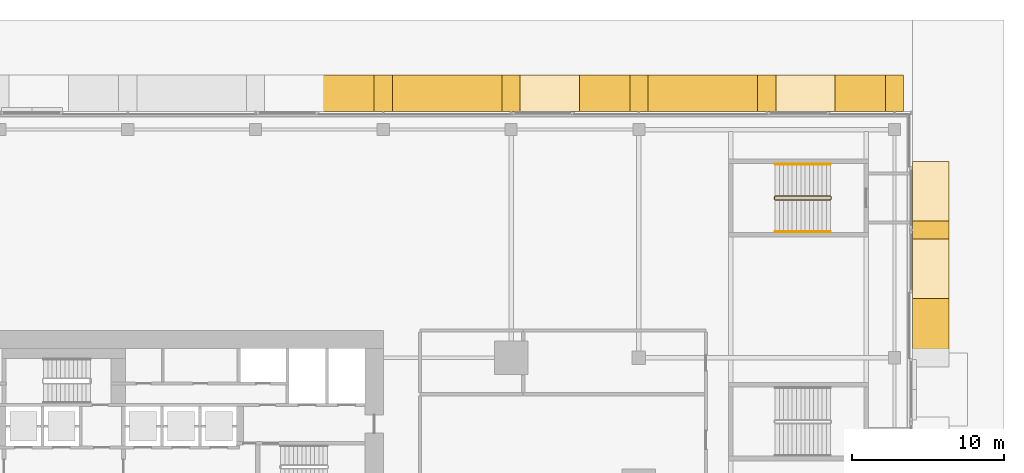
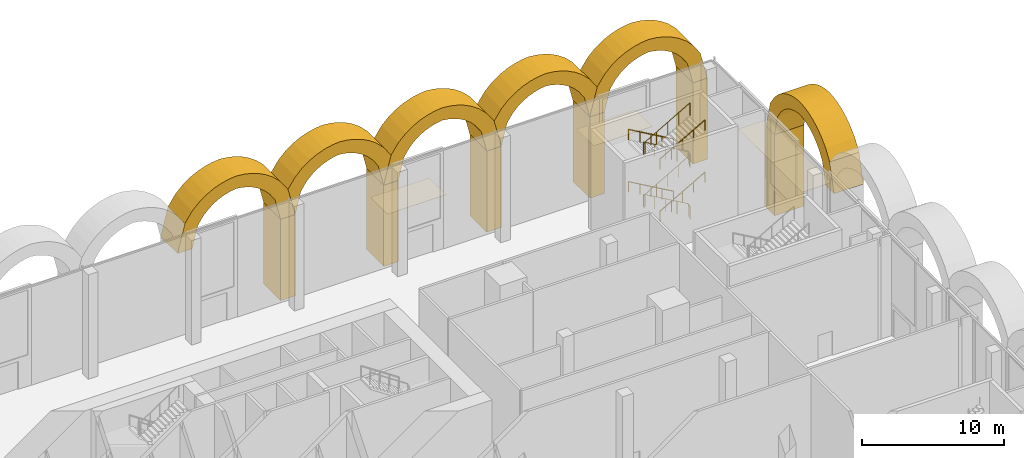
# One storey, part 42 of 43: 16 coverings, 5 railings.
"""IFC4 building model written with IfcOpenShell, lengths in metres."""

from ifc_helpers import new_model, si_unit, direction, frame, origin, origin_2d, place, context, subcontext, project, spatial, polyline, circle, outline, extrude, material, layer, layer_set, type_object, element, save


model = new_model("IFC4")

# Units and contexts
model_context = context("Model", 3, precision=1e-05, world=origin(), true_north=direction((0.0, 1.0)))
body_context = subcontext(model_context, "Body", "Model", "MODEL_VIEW")
ifc_project = project(units=[si_unit("LENGTHUNIT", "METRE"), si_unit("AREAUNIT", "SQUARE_METRE"), si_unit("VOLUMEUNIT", "CUBIC_METRE"), si_unit("PLANEANGLEUNIT", "RADIAN"), si_unit("MASSUNIT", "GRAM", prefix="KILO")], contexts=[model_context])

# Site, building, storey
site_placement = place(None, origin())
site = spatial("IfcSite", under=ifc_project, at=site_placement, CompositionType="ELEMENT")
building_placement = place(site_placement, origin())
building = spatial("IfcBuilding", under=site, at=building_placement, Name="Saffron Gate Tower", CompositionType="ELEMENT")
storey_placement = place(building_placement, origin())
storey = spatial("IfcBuildingStorey", under=building, at=storey_placement, Name="L00", CompositionType="ELEMENT", Elevation=0.0)

# Coverings
ifc_material_1 = material(Name="Cast stone cladding, pale limestone", Category="masonry")
ifc_layer_1 = layer(ifc_material_1, 1.199951171875)
ifc_layer_set_1 = layer_set([ifc_layer_1], Name="AR1 arcade pier")
covering_type_1 = type_object("IfcCoveringType", Name="AR1 arcade pier", PredefinedType="CLADDING", material=ifc_layer_set_1)
covering_1_placement = place(storey_placement, origin())
element("IfcCovering", 1, at=covering_1_placement, inside=storey, type_object=covering_type_1, Name="ARCADE PIER", PredefinedType="CLADDING", context=body_context, shape_type="SweptSolid", body=[
    extrude(outline(polyline([(143.39990234375, 81.60009765625), (143.39990234375, 82.800048828125), (145.800048828125, 82.800048828125), (145.800048828125, 81.60009765625), (143.39990234375, 81.60009765625)])), origin(), (0.0, 0.0, 1.0), 7.0),
])
covering_2_placement = place(storey_placement, origin())
element("IfcCovering", 2, at=covering_2_placement, inside=storey, type_object=covering_type_1, Name="ARCADE PIER", PredefinedType="CLADDING", context=body_context, shape_type="SweptSolid", body=[
    extrude(outline(polyline([(142.800048828125, 90.0), (141.60009765625, 90.0), (141.60009765625, 92.39990234375), (142.800048828125, 92.39990234375), (142.800048828125, 90.0)])), origin(), (0.0, 0.0, 1.0), 7.0),
])
covering_3_placement = place(storey_placement, origin())
element("IfcCovering", 3, at=covering_3_placement, inside=storey, type_object=covering_type_1, Name="ARCADE PIER", PredefinedType="CLADDING", context=body_context, shape_type="SweptSolid", body=[
    extrude(outline(polyline([(134.39990234375, 90.0), (133.199951171875, 90.0), (133.199951171875, 92.39990234375), (134.39990234375, 92.39990234375), (134.39990234375, 90.0)])), origin(), (0.0, 0.0, 1.0), 7.0),
])
covering_4_placement = place(storey_placement, origin())
element("IfcCovering", 4, at=covering_4_placement, inside=storey, type_object=covering_type_1, Name="ARCADE PIER", PredefinedType="CLADDING", context=body_context, shape_type="SweptSolid", body=[
    extrude(outline(polyline([(126.0, 90.0), (124.800048828125, 90.0), (124.800048828125, 92.39990234375), (126.0, 92.39990234375), (126.0, 90.0)])), origin(), (0.0, 0.0, 1.0), 7.0),
])
covering_5_placement = place(storey_placement, origin())
element("IfcCovering", 5, at=covering_5_placement, inside=storey, type_object=covering_type_1, Name="ARCADE PIER", PredefinedType="CLADDING", context=body_context, shape_type="SweptSolid", body=[
    extrude(outline(polyline([(117.60009765625, 90.0), (116.39990234375, 90.0), (116.39990234375, 92.39990234375), (117.60009765625, 92.39990234375), (117.60009765625, 90.0)])), origin(), (0.0, 0.0, 1.0), 7.0),
])
covering_6_placement = place(storey_placement, origin())
element("IfcCovering", 6, at=covering_6_placement, inside=storey, type_object=covering_type_1, Name="ARCADE PIER", PredefinedType="CLADDING", context=body_context, shape_type="SweptSolid", body=[
    extrude(outline(polyline([(109.199951171875, 90.0), (108.0, 90.0), (108.0, 92.39990234375), (109.199951171875, 92.39990234375), (109.199951171875, 90.0)])), origin(), (0.0, 0.0, 1.0), 7.0),
])
ifc_layer_2 = layer(ifc_material_1, 2.39990234375)
ifc_layer_set_2 = layer_set([ifc_layer_2], Name="AR2 arcade arch")
covering_type_2 = type_object("IfcCoveringType", Name="AR2 arcade arch", PredefinedType="CLADDING", material=ifc_layer_set_2)
for number, where, z_axis, x_axis, name in (
    (7, (145.800048828125, 74.39990234375, 7.0), (1.0, 0.0, 0.0), (0.0, 0.239237346473, 0.970961117683), "ARCADE ARCH"),
    (8, (141.60009765625, 92.39990234375, 7.0), (0.0, 1.0, 0.0), (-0.239237346473, 0.0, 0.970961117683), "ARCADE ARCH"),
):
    element("IfcCovering", number, at=place(storey_placement, frame(where, z_axis=z_axis, x_axis=x_axis)), inside=storey, type_object=covering_type_2, Name=name, PredefinedType="CLADDING", context=body_context, shape_type="SweptSolid", body=[
        extrude(outline(polyline([(0.0, 0.0), (1.8817936210051474, 0.0), (2.6470183695411396, -0.2748625343682679), (3.203401139395791, -0.6011821249482396), (3.6395990248106704, -0.9571143460609401), (3.990458530741687, -1.3340732870785366), (4.273105740640905, -1.7280906550741717), (4.496905881562616, -2.1363560457279465), (4.6673695353069125, -2.5577631363222815), (4.712196130366634, -3.010126231221047), (4.703686238248943, -3.4756310260603724), (4.636446092264326, -3.9558579456660814), (4.500876835137328, -4.452669190141585), (4.279969198526468, -4.970507154521985), (3.9388766774758355, -5.517957749435114), (3.388942177743862, -6.116865400559946), (1.7225556206533161, -6.9911096881612895), (2.0096287549104384, -8.156215619170132), (4.1730438427179735, -7.00512180004296), (4.879364508393852, -6.2132962743460105), (5.31112164584135, -5.488869646622356), (5.58452867913546, -4.80345926583334), (5.743972562952254, -4.1463799701936), (5.812093383376849, -3.5115505322869174), (5.800623457171799, -2.896583084012261), (5.716083398741931, -2.2993681117132256), (5.513491915359386, -1.7312401019492978), (5.237947114862605, -1.1813386702692357), (4.882694752625596, -0.6508251261129545), (4.436236142106971, -0.14303554179797584), (3.875697567000447, 0.3368970594759718), (3.1568088877405365, 0.7778134138152791), (2.163473495362826, 1.150856768073049), (-0.2870731342571223, 1.165105931008841), (0.0, 0.0)])), origin(), (0.0, 0.0, -1.0), 2.39990234375),
    ])
covering_7_placement = place(storey_placement, frame((133.199951171875, 92.39990234375, 7.0), z_axis=(0.0, 1.0, 0.0), x_axis=(-0.239115028028, 0.0, 0.970991247835)))
element("IfcCovering", 9, at=covering_7_placement, inside=storey, type_object=covering_type_2, Name="ARCADE ARCH", PredefinedType="CLADDING", context=body_context, shape_type="SweptSolid", body=[
    extrude(outline(polyline([(0.0, 0.0), (1.881735228381075, 0.0), (2.646925345116447, -0.2749589311548678), (3.203267002539746, -0.6013486093049456), (3.6394784237266933, -0.9575728359066504), (3.990290439579541, -1.334575973358484), (4.272829633319021, -1.7283918862185135), (4.4965783413497675, -2.136685466791156), (4.666988907104446, -2.558114028151451), (4.7118168931901065, -3.0107198248883336), (4.70324835930731, -3.4762235440027536), (4.63588933971578, -3.956204930829786), (4.500257498010882, -4.452999093065014), (4.279284628664273, -4.970809224560487), (3.9381815230813135, -5.518453904507588), (3.3881715804938914, -6.117292273039781), (1.721616526260766, -6.991089572726843), (2.0085428843554953, -8.156231658446298), (4.17216134140188, -7.005647442456348), (4.878523373773681, -6.213673843174959), (5.310371767231315, -5.489301611680691), (5.5839235204239435, -4.804162737112771), (5.743391800658454, -4.146866474174116), (5.8116509706907475, -3.512282681215563), (5.800200137231722, -2.897076734489788), (5.715735313457013, -2.29985111702), (5.513273779136993, -1.7319346487703329), (5.237739876808899, -1.1817614513665375), (4.882612726374266, -0.6514402170157529), (4.436159710352636, -0.14335733582483634), (3.8756815990652784, 0.3366458753266979), (3.1569068475129147, 0.7774157295518843), (2.1635600793539953, 1.1508212744000663), (-0.2869263580947294, 1.1651420857194545), (0.0, 0.0)])), origin(), (0.0, 0.0, -1.0), 2.39990234375),
])
covering_8_placement = place(storey_placement, frame((124.800048828125, 92.39990234375, 7.0), z_axis=(0.0, 1.0, 0.0), x_axis=(-0.239115028028, 0.0, 0.970991247835)))
element("IfcCovering", 10, at=covering_8_placement, inside=storey, type_object=covering_type_2, Name="ARCADE ARCH", PredefinedType="CLADDING", context=body_context, shape_type="SweptSolid", body=[
    extrude(outline(polyline([(0.0, 0.0), (1.881735228381075, 0.0), (2.6469837228088364, -0.2751959895649837), (3.203325380232136, -0.6015856677150615), (3.6394784237266933, -0.9575728359066504), (3.990290439579541, -1.334575973358484), (4.272829633319021, -1.7283918862185135), (4.496636719042157, -2.1369225252012716), (4.667047284796835, -2.5583510865615673), (4.7118168931901065, -3.0107198248883336), (4.70324835930731, -3.4762235440027536), (4.63588933971578, -3.956204930829786), (4.50031587570327, -4.45323615147513), (4.2793430063566635, -4.971046282970603), (3.9381815230813135, -5.518453904507588), (3.3881715804938914, -6.117292273039781), (1.721616526260766, -6.991089572726843), (2.008601262047885, -8.156468716856415), (4.17216134140188, -7.005647442456348), (4.878523373773681, -6.213673843174959), (5.310430144923704, -5.489538670090807), (5.5839235204239435, -4.804162737112771), (5.743450178350844, -4.147103532584232), (5.8116509706907475, -3.512282681215563), (5.800200137231722, -2.897076734489788), (5.715793691149402, -2.300088175430116), (5.513273779136993, -1.7319346487703329), (5.237798254501289, -1.1819985097766537), (4.882612726374266, -0.6514402170157529), (4.436159710352636, -0.14335733582483634), (3.875739976757668, 0.336408816916582), (3.1569068475129147, 0.7774157295518843), (2.163618457046385, 1.1505842159899504), (-0.2869263580947294, 1.1651420857194545), (0.0, 0.0)])), origin(), (0.0, 0.0, -1.0), 2.39990234375),
])
covering_9_placement = place(storey_placement, frame((116.39990234375, 92.39990234375, 7.0), z_axis=(0.0, 1.0, 0.0), x_axis=(-0.239115028028, 0.0, 0.970991247835)))
element("IfcCovering", 11, at=covering_9_placement, inside=storey, type_object=covering_type_2, Name="ARCADE ARCH", PredefinedType="CLADDING", context=body_context, shape_type="SweptSolid", body=[
    extrude(outline(polyline([(0.0, 0.0), (1.881735228381075, 0.0), (2.646925345116447, -0.2749589311548678), (3.203267002539746, -0.6013486093049456), (3.639420046034304, -0.9573357774965345), (3.990290439579541, -1.334575973358484), (4.272829633319021, -1.7283918862185135), (4.4965783413497675, -2.136685466791156), (4.666988907104446, -2.558114028151451), (4.711758515497717, -3.010482766478218), (4.70324835930731, -3.4762235440027536), (4.63588933971578, -3.956204930829786), (4.500257498010882, -4.452999093065014), (4.279284628664273, -4.970809224560487), (3.938123145388924, -5.518216846097472), (3.3881715804938914, -6.117292273039781), (1.721616526260766, -6.991089572726843), (2.0085428843554953, -8.156231658446298), (4.172102963709491, -7.005410384046232), (4.878523373773681, -6.213673843174959), (5.310371767231315, -5.489301611680691), (5.5839235204239435, -4.804162737112771), (5.743391800658454, -4.146866474174116), (5.811592592998358, -3.512045622805447), (5.800200137231722, -2.897076734489788), (5.715735313457013, -2.29985111702), (5.513273779136993, -1.7319346487703329), (5.237739876808899, -1.1817614513665375), (4.882554348681876, -0.651203158605637), (4.436159710352636, -0.14335733582483634), (3.8756815990652784, 0.3366458753266979), (3.1569068475129147, 0.7774157295518843), (2.1635600793539953, 1.1508212744000663), (-0.28698473578711897, 1.1653791441295704), (0.0, 0.0)])), origin(), (0.0, 0.0, -1.0), 2.39990234375),
])
covering_10_placement = place(storey_placement, frame((108.0, 92.39990234375, 7.0), z_axis=(0.0, 1.0, 0.0), x_axis=(-0.239115028028, 0.0, 0.970991247835)))
element("IfcCovering", 12, at=covering_10_placement, inside=storey, type_object=covering_type_2, Name="ARCADE ARCH", PredefinedType="CLADDING", context=body_context, shape_type="SweptSolid", body=[
    extrude(outline(polyline([(0.0, 0.0), (1.881735228381075, 0.0), (2.646925345116447, -0.2749589311548678), (3.203325380232136, -0.6015856677150615), (3.6394784237266933, -0.9575728359066504), (3.990290439579541, -1.334575973358484), (4.272829633319021, -1.7283918862185135), (4.4965783413497675, -2.136685466791156), (4.667047284796835, -2.5583510865615673), (4.7118168931901065, -3.0107198248883336), (4.70324835930731, -3.4762235440027536), (4.63588933971578, -3.956204930829786), (4.500257498010882, -4.452999093065014), (4.2793430063566635, -4.971046282970603), (3.9381815230813135, -5.518453904507588), (3.3881715804938914, -6.117292273039781), (1.721616526260766, -6.991089572726843), (2.0085428843554953, -8.156231658446298), (4.17216134140188, -7.005647442456348), (4.878523373773681, -6.213673843174959), (5.310430144923704, -5.489538670090807), (5.5839235204239435, -4.804162737112771), (5.743391800658454, -4.146866474174116), (5.8116509706907475, -3.512282681215563), (5.800200137231722, -2.897076734489788), (5.715793691149402, -2.300088175430116), (5.513273779136993, -1.7319346487703329), (5.237739876808899, -1.1817614513665375), (4.882612726374266, -0.6514402170157529), (4.436159710352636, -0.14335733582483634), (3.875739976757668, 0.336408816916582), (3.1569068475129147, 0.7774157295518843), (2.1635600793539953, 1.1508212744000663), (-0.2869263580947294, 1.1651420857194545), (0.0, 0.0)])), origin(), (0.0, 0.0, -1.0), 2.39990234375),
])
ifc_material_2 = material(Name="Bronze-anodised aluminium soffit panels", Category="aluminium")
ifc_layer_3 = layer(ifc_material_2, 0.030029296875)
ifc_layer_set_3 = layer_set([ifc_layer_3], Name="CE1 canopy soffit lining")
covering_type_3 = type_object("IfcCoveringType", Name="CE1 canopy soffit lining", PredefinedType="CEILING", material=ifc_layer_set_3)
covering_11_placement = place(storey_placement, frame((0.0, 0.0, 4.3701171875)))
element("IfcCovering", 13, at=covering_11_placement, inside=storey, type_object=covering_type_3, Name="ENTRANCE CANOPY soffit lining", PredefinedType="CEILING", context=body_context, shape_type="SweptSolid", body=[
    extrude(outline(polyline([(138.300048828125, 90.0), (133.5, 90.0), (133.5, 92.39990234375), (138.300048828125, 92.39990234375), (138.300048828125, 90.0)])), origin(), (0.0, 0.0, 1.0), 0.02978515625),
])
covering_12_placement = place(storey_placement, frame((0.0, 0.0, 4.3701171875)))
element("IfcCovering", 14, at=covering_12_placement, inside=storey, type_object=covering_type_3, Name="ENTRANCE CANOPY soffit lining", PredefinedType="CEILING", context=body_context, shape_type="SweptSolid", body=[
    extrude(outline(polyline([(143.39990234375, 77.699951171875), (143.39990234375, 82.5), (145.800048828125, 82.5), (145.800048828125, 77.699951171875), (143.39990234375, 77.699951171875)])), origin(), (0.0, 0.0, 1.0), 0.02978515625),
])
covering_13_placement = place(storey_placement, frame((0.0, 0.0, 4.3701171875)))
element("IfcCovering", 15, at=covering_13_placement, inside=storey, type_object=covering_type_3, Name="ENTRANCE CANOPY soffit lining", PredefinedType="CEILING", context=body_context, shape_type="SweptSolid", body=[
    extrude(outline(polyline([(121.5, 90.0), (116.699951171875, 90.0), (116.699951171875, 92.39990234375), (121.5, 92.39990234375), (121.5, 90.0)])), origin(), (0.0, 0.0, 1.0), 0.02978515625),
])
covering_14_placement = place(storey_placement, frame((0.0, 0.0, 4.3701171875)))
element("IfcCovering", 16, at=covering_14_placement, inside=storey, type_object=covering_type_3, Name="ENTRANCE CANOPY soffit lining", PredefinedType="CEILING", context=body_context, shape_type="SweptSolid", body=[
    extrude(outline(polyline([(143.39990234375, 81.89990234375), (143.39990234375, 86.699951171875), (145.800048828125, 86.699951171875), (145.800048828125, 81.89990234375), (143.39990234375, 81.89990234375)])), origin(), (0.0, 0.0, 1.0), 0.02978515625),
])

# Railings
ifc_material_3 = material(Name="Stainless steel and laminated glass", Category="steel")
railing_type_1 = type_object("IfcRailingType", Name="CR1 Stair guard 1100", PredefinedType="GUARDRAIL", material=ifc_material_3)
railing_1_placement = place(storey_placement, frame((138.050048828125, 84.22509765625, 0.0)))
element("IfcRailing", 17, at=railing_1_placement, inside=storey, type_object=railing_type_1, Name="L00 ST-I stair guard 1", PredefinedType="GUARDRAIL", context=body_context, shape_type="SweptSolid", body=[
    extrude(circle(Radius=0.02392578125, at=origin_2d()), frame((0.0, 0.0, 1.076171875), z_axis=(0.0, 1.0, 0.0), x_axis=(-1.0, 0.0, 0.0)), (0.0, 0.0, 1.0), 0.14990234375),
    extrude(circle(Radius=0.02392578125, at=origin_2d()), frame((0.0, 0.14990234375, 1.076171875), z_axis=(-0.285103605394, 0.285103605394, 0.91511303585), x_axis=(-0.707106781187, -0.707106781187, 0.0)), (0.0, 0.0, 1.0), 0.175537109375),
    extrude(circle(Radius=0.02392578125, at=origin_2d()), frame((-0.050048828125, 0.199951171875, 1.23681640625), z_axis=(-0.8672749571, 0.0, 0.497829437445), x_axis=(0.0, -1.0, 0.0)), (0.0, 0.0, 1.0), 4.197021484375),
    extrude(circle(Radius=0.02392578125, at=origin_2d()), frame((-3.68994140625, 0.199951171875, 3.326171875), z_axis=(-0.707106781187, -0.707106781187, 0.0), x_axis=(0.707106781187, -0.707106781187, 0.0)), (0.0, 0.0, 1.0), 0.07080078125),
    extrude(circle(Radius=0.02392578125, at=origin_2d()), frame((-3.739990234375, 0.14990234375, 3.326171875), z_axis=(0.0, -1.0, 0.0), x_axis=(1.0, 0.0, 0.0)), (0.0, 0.0, 1.0), 0.14990234375),
    extrude(circle(Radius=0.02392578125, at=origin_2d()), frame((-3.739990234375, 0.0, 3.326171875), z_axis=(0.285103605394, -0.285103605394, 0.91511303585), x_axis=(0.707106781187, 0.707106781187, 0.0)), (0.0, 0.0, 1.0), 0.175537109375),
    extrude(circle(Radius=0.02392578125, at=origin_2d()), frame((-3.68994140625, -0.050048828125, 3.48681640625), z_axis=(0.8672749571, 0.0, 0.497829437445), x_axis=(0.0, 1.0, 0.0)), (0.0, 0.0, 1.0), 4.197021484375),
    extrude(circle(Radius=0.02392578125, at=origin_2d()), frame((-0.050048828125, -0.050048828125, 5.576171875), z_axis=(0.707106781187, 0.707106781187, 0.0), x_axis=(-0.707106781187, 0.707106781187, 0.0)), (0.0, 0.0, 1.0), 0.07080078125),
    extrude(circle(Radius=0.02392578125, at=origin_2d()), frame((0.0, 0.0, 5.576171875), z_axis=(0.0, 1.0, 0.0), x_axis=(-1.0, 0.0, 0.0)), (0.0, 0.0, 1.0), 0.14990234375),
    extrude(circle(Radius=0.02392578125, at=origin_2d()), frame((0.0, 0.14990234375, 5.576171875), z_axis=(-0.285103605394, 0.285103605394, 0.91511303585), x_axis=(-0.707106781187, -0.707106781187, 0.0)), (0.0, 0.0, 1.0), 0.175537109375),
    extrude(circle(Radius=0.02392578125, at=origin_2d()), frame((-0.050048828125, 0.199951171875, 5.73681640625), z_axis=(-0.8672749571, 0.0, 0.497829437445), x_axis=(0.0, -1.0, 0.0)), (0.0, 0.0, 1.0), 4.197021484375),
    extrude(circle(Radius=0.02392578125, at=origin_2d()), frame((-3.68994140625, 0.199951171875, 7.826171875), z_axis=(-0.707106781187, -0.707106781187, 0.0), x_axis=(0.707106781187, -0.707106781187, 0.0)), (0.0, 0.0, 1.0), 0.07080078125),
    extrude(circle(Radius=0.02392578125, at=origin_2d()), frame((-3.739990234375, 0.14990234375, 7.826171875), z_axis=(0.0, -1.0, 0.0), x_axis=(1.0, 0.0, 0.0)), (0.0, 0.0, 1.0), 0.14990234375),
    extrude(circle(Radius=0.02392578125, at=origin_2d()), frame((-3.739990234375, 0.0, 7.826171875), z_axis=(0.285103605394, -0.285103605394, 0.91511303585), x_axis=(0.707106781187, 0.707106781187, 0.0)), (0.0, 0.0, 1.0), 0.175537109375),
    extrude(circle(Radius=0.02392578125, at=origin_2d()), frame((-3.68994140625, -0.050048828125, 7.98681640625), z_axis=(0.8672749571, 0.0, 0.497829437445), x_axis=(0.0, 1.0, 0.0)), (0.0, 0.0, 1.0), 4.197021484375),
    extrude(circle(Radius=0.02099609375, at=origin_2d()), origin(), (0.0, 0.0, 1.0), 1.052001953125),
    extrude(circle(Radius=0.02099609375, at=origin_2d()), frame((0.0, 0.14990234375, 0.0)), (0.0, 0.0, 1.0), 1.052001953125),
    extrude(circle(Radius=0.02099609375, at=origin_2d()), frame((-0.050048828125, 0.199951171875, 0.16064453125)), (0.0, 0.0, 1.0), 1.052001953125),
    extrude(circle(Radius=0.02099609375, at=origin_2d()), frame((-0.9599609375, 0.199951171875, 0.68310546875)), (0.0, 0.0, 1.0), 1.052001953125),
    extrude(circle(Radius=0.02099609375, at=origin_2d()), frame((-1.8701171875, 0.199951171875, 1.205322265625)), (0.0, 0.0, 1.0), 1.052001953125),
    extrude(circle(Radius=0.02099609375, at=origin_2d()), frame((-2.780029296875, 0.199951171875, 1.7275390625)), (0.0, 0.0, 1.0), 1.052001953125),
    extrude(circle(Radius=0.02099609375, at=origin_2d()), frame((-3.68994140625, 0.199951171875, 2.25)), (0.0, 0.0, 1.0), 1.052001953125),
    extrude(circle(Radius=0.02099609375, at=origin_2d()), frame((-3.739990234375, 0.14990234375, 2.25)), (0.0, 0.0, 1.0), 1.052001953125),
    extrude(circle(Radius=0.02099609375, at=origin_2d()), frame((-3.739990234375, 0.0, 2.25)), (0.0, 0.0, 1.0), 1.052001953125),
    extrude(circle(Radius=0.02099609375, at=origin_2d()), frame((-3.68994140625, -0.050048828125, 2.41064453125)), (0.0, 0.0, 1.0), 1.052001953125),
    extrude(circle(Radius=0.02099609375, at=origin_2d()), frame((-2.780029296875, -0.050048828125, 2.93310546875)), (0.0, 0.0, 1.0), 1.052001953125),
    extrude(circle(Radius=0.02099609375, at=origin_2d()), frame((-1.8701171875, -0.050048828125, 3.455322265625)), (0.0, 0.0, 1.0), 1.052001953125),
    extrude(circle(Radius=0.02099609375, at=origin_2d()), frame((-0.9599609375, -0.050048828125, 3.9775390625)), (0.0, 0.0, 1.0), 1.052001953125),
    extrude(circle(Radius=0.02099609375, at=origin_2d()), frame((-0.050048828125, -0.050048828125, 4.5)), (0.0, 0.0, 1.0), 1.052001953125),
    extrude(circle(Radius=0.02099609375, at=origin_2d()), frame((0.0, 0.0, 4.5)), (0.0, 0.0, 1.0), 1.052001953125),
    extrude(circle(Radius=0.02099609375, at=origin_2d()), frame((0.0, 0.14990234375, 4.5)), (0.0, 0.0, 1.0), 1.052001953125),
    extrude(circle(Radius=0.02099609375, at=origin_2d()), frame((-0.050048828125, 0.199951171875, 4.66064453125)), (0.0, 0.0, 1.0), 1.052001953125),
    extrude(circle(Radius=0.02099609375, at=origin_2d()), frame((-0.9599609375, 0.199951171875, 5.18310546875)), (0.0, 0.0, 1.0), 1.052001953125),
    extrude(circle(Radius=0.02099609375, at=origin_2d()), frame((-1.8701171875, 0.199951171875, 5.705322265625)), (0.0, 0.0, 1.0), 1.052001953125),
    extrude(circle(Radius=0.02099609375, at=origin_2d()), frame((-2.780029296875, 0.199951171875, 6.2275390625)), (0.0, 0.0, 1.0), 1.052001953125),
    extrude(circle(Radius=0.02099609375, at=origin_2d()), frame((-3.68994140625, 0.199951171875, 6.75)), (0.0, 0.0, 1.0), 1.052001953125),
    extrude(circle(Radius=0.02099609375, at=origin_2d()), frame((-3.739990234375, 0.14990234375, 6.75)), (0.0, 0.0, 1.0), 1.052001953125),
    extrude(circle(Radius=0.02099609375, at=origin_2d()), frame((-3.739990234375, 0.0, 6.75)), (0.0, 0.0, 1.0), 1.052001953125),
    extrude(circle(Radius=0.02099609375, at=origin_2d()), frame((-3.68994140625, -0.050048828125, 6.91064453125)), (0.0, 0.0, 1.0), 1.052001953125),
    extrude(circle(Radius=0.02099609375, at=origin_2d()), frame((-2.780029296875, -0.050048828125, 7.43310546875)), (0.0, 0.0, 1.0), 1.052001953125),
    extrude(circle(Radius=0.02099609375, at=origin_2d()), frame((-1.8701171875, -0.050048828125, 7.955322265625)), (0.0, 0.0, 1.0), 1.052001953125),
    extrude(circle(Radius=0.02099609375, at=origin_2d()), frame((-0.9599609375, -0.050048828125, 8.4775390625)), (0.0, 0.0, 1.0), 1.052001953125),
    extrude(circle(Radius=0.02099609375, at=origin_2d()), frame((-0.050048828125, -0.050048828125, 9.0)), (0.0, 0.0, 1.0), 1.052001953125),
])
ifc_material_4 = material(Name="Stainless steel", Category="steel")
railing_type_2 = type_object("IfcRailingType", Name="CR2 Stair handrail 900", PredefinedType="HANDRAIL", material=ifc_material_4)
railing_2_placement = place(storey_placement, frame((138.0, 86.52490234375, 0.16064453125)))
element("IfcRailing", 18, at=railing_2_placement, inside=storey, type_object=railing_type_2, Name="L00 ST-I stair handrail 1", PredefinedType="HANDRAIL", context=body_context, shape_type="SweptSolid", body=[
    extrude(circle(Radius=0.02392578125, at=origin_2d()), frame((0.0, 0.0, 0.8759765625), z_axis=(-0.8672749571, 0.0, 0.497829437445), x_axis=(0.0, -1.0, 0.0)), (0.0, 0.0, 1.0), 4.197021484375),
    extrude(circle(Radius=0.02099609375, at=origin_2d()), origin(), (0.0, 0.0, 1.0), 0.851806640625),
    extrude(circle(Radius=0.02099609375, at=origin_2d()), frame((-0.909912109375, 0.0, 0.5224609375)), (0.0, 0.0, 1.0), 0.851806640625),
    extrude(circle(Radius=0.02099609375, at=origin_2d()), frame((-1.81982421875, 0.0, 1.044677734375)), (0.0, 0.0, 1.0), 0.851806640625),
    extrude(circle(Radius=0.02099609375, at=origin_2d()), frame((-2.72998046875, 0.0, 1.56689453125)), (0.0, 0.0, 1.0), 0.851806640625),
    extrude(circle(Radius=0.02099609375, at=origin_2d()), frame((-3.639892578125, 0.0, 2.08935546875)), (0.0, 0.0, 1.0), 0.851806640625),
])
railing_3_placement = place(storey_placement, frame((134.360107421875, 82.074951171875, 2.41064453125)))
element("IfcRailing", 19, at=railing_3_placement, inside=storey, type_object=railing_type_2, Name="L00 ST-I stair handrail 2", PredefinedType="HANDRAIL", context=body_context, shape_type="SweptSolid", body=[
    extrude(circle(Radius=0.02392578125, at=origin_2d()), frame((0.0, 0.0, 0.8759765625), z_axis=(0.8672749571, 0.0, 0.497829437445), x_axis=(0.0, 1.0, 0.0)), (0.0, 0.0, 1.0), 4.197021484375),
    extrude(circle(Radius=0.02099609375, at=origin_2d()), origin(), (0.0, 0.0, 1.0), 0.851806640625),
    extrude(circle(Radius=0.02099609375, at=origin_2d()), frame((0.909912109375, 0.0, 0.5224609375)), (0.0, 0.0, 1.0), 0.851806640625),
    extrude(circle(Radius=0.02099609375, at=origin_2d()), frame((1.81982421875, 0.0, 1.044677734375)), (0.0, 0.0, 1.0), 0.851806640625),
    extrude(circle(Radius=0.02099609375, at=origin_2d()), frame((2.72998046875, 0.0, 1.56689453125)), (0.0, 0.0, 1.0), 0.851806640625),
    extrude(circle(Radius=0.02099609375, at=origin_2d()), frame((3.639892578125, 0.0, 2.08935546875)), (0.0, 0.0, 1.0), 0.851806640625),
])
railing_4_placement = place(storey_placement, frame((138.0, 86.52490234375, 4.66064453125)))
element("IfcRailing", 20, at=railing_4_placement, inside=storey, type_object=railing_type_2, Name="L00 ST-I stair handrail 3", PredefinedType="HANDRAIL", context=body_context, shape_type="SweptSolid", body=[
    extrude(circle(Radius=0.02392578125, at=origin_2d()), frame((0.0, 0.0, 0.8759765625), z_axis=(-0.8672749571, 0.0, 0.497829437445), x_axis=(0.0, -1.0, 0.0)), (0.0, 0.0, 1.0), 4.197021484375),
    extrude(circle(Radius=0.02099609375, at=origin_2d()), origin(), (0.0, 0.0, 1.0), 0.851806640625),
    extrude(circle(Radius=0.02099609375, at=origin_2d()), frame((-0.909912109375, 0.0, 0.5224609375)), (0.0, 0.0, 1.0), 0.851806640625),
    extrude(circle(Radius=0.02099609375, at=origin_2d()), frame((-1.81982421875, 0.0, 1.044677734375)), (0.0, 0.0, 1.0), 0.851806640625),
    extrude(circle(Radius=0.02099609375, at=origin_2d()), frame((-2.72998046875, 0.0, 1.56689453125)), (0.0, 0.0, 1.0), 0.851806640625),
    extrude(circle(Radius=0.02099609375, at=origin_2d()), frame((-3.639892578125, 0.0, 2.08935546875)), (0.0, 0.0, 1.0), 0.851806640625),
])
railing_5_placement = place(storey_placement, frame((134.360107421875, 82.074951171875, 6.91064453125)))
element("IfcRailing", 21, at=railing_5_placement, inside=storey, type_object=railing_type_2, Name="L00 ST-I stair handrail 4", PredefinedType="HANDRAIL", context=body_context, shape_type="SweptSolid", body=[
    extrude(circle(Radius=0.02392578125, at=origin_2d()), frame((0.0, 0.0, 0.8759765625), z_axis=(0.8672749571, 0.0, 0.497829437445), x_axis=(0.0, 1.0, 0.0)), (0.0, 0.0, 1.0), 4.197021484375),
    extrude(circle(Radius=0.02099609375, at=origin_2d()), origin(), (0.0, 0.0, 1.0), 0.851806640625),
    extrude(circle(Radius=0.02099609375, at=origin_2d()), frame((0.909912109375, 0.0, 0.5224609375)), (0.0, 0.0, 1.0), 0.851806640625),
    extrude(circle(Radius=0.02099609375, at=origin_2d()), frame((1.81982421875, 0.0, 1.044677734375)), (0.0, 0.0, 1.0), 0.851806640625),
    extrude(circle(Radius=0.02099609375, at=origin_2d()), frame((2.72998046875, 0.0, 1.56689453125)), (0.0, 0.0, 1.0), 0.851806640625),
    extrude(circle(Radius=0.02099609375, at=origin_2d()), frame((3.639892578125, 0.0, 2.08935546875)), (0.0, 0.0, 1.0), 0.851806640625),
])

save(model, "model.ifc")
